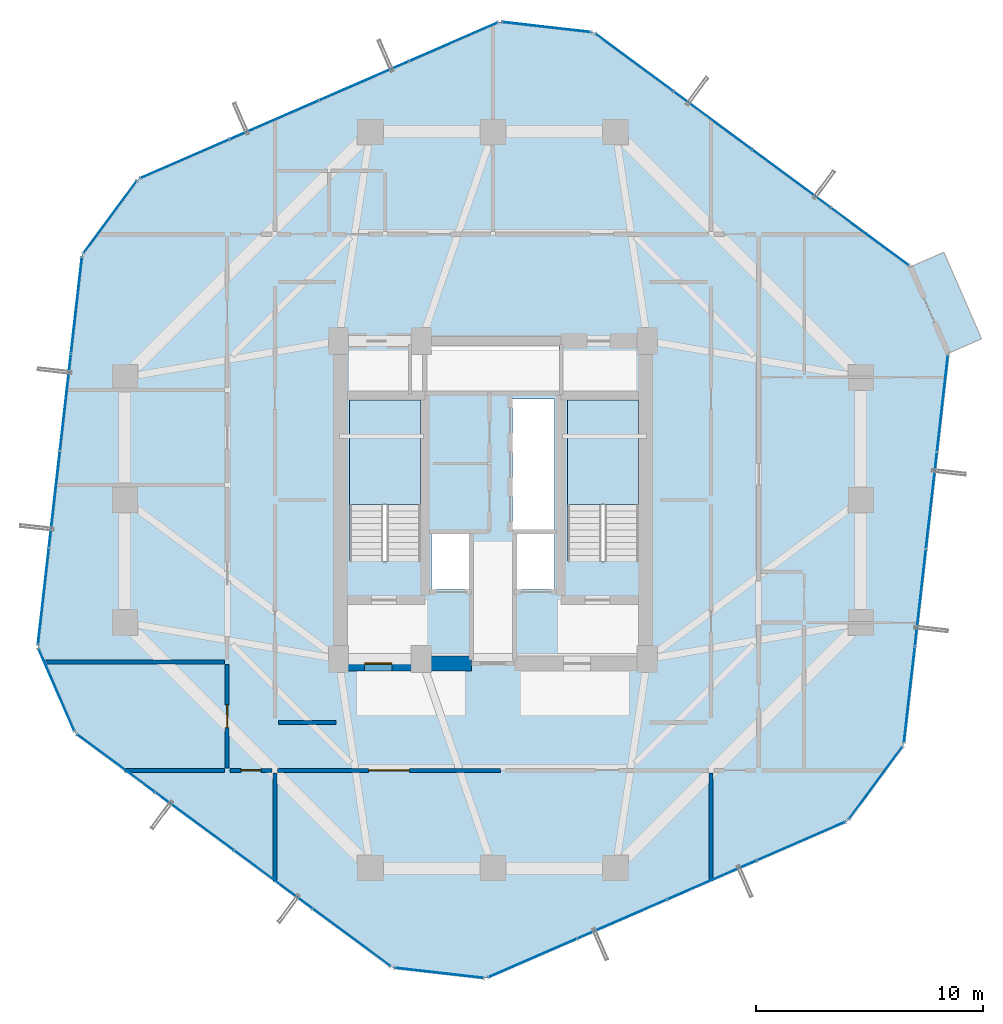
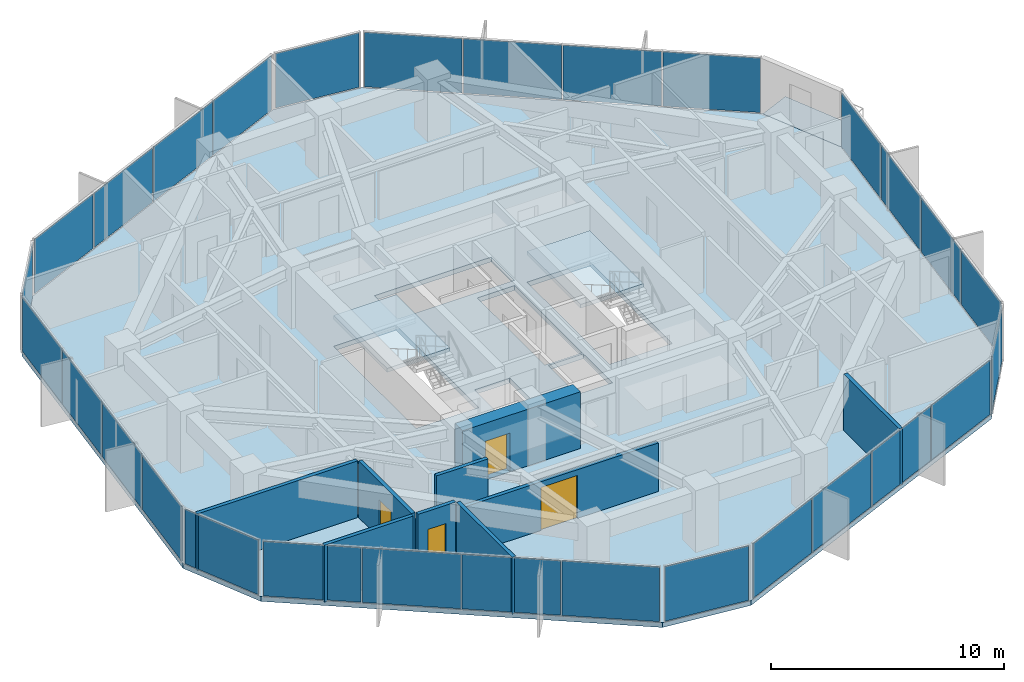
# One storey, part 24 of 29: 29 plates, 9 walls, 4 doors, 4 slabs, 4 openings, 13 elements without a shape of their own.
"""IFC4 building model written with IfcOpenShell, lengths in metres."""

import ifcopenshell
import ifcopenshell.guid

model = None  # the IFC model being written
_history = None  # IfcOwnerHistory: only IFC2X3 demands one
_inside = {}  # id of a spatial element -> (the spatial element, [elements in it])
_under = {}  # id of a project, library or spatial element -> (it, [spatial elements below it])
_declared = {}  # id of a project -> (the project, [libraries it declares])
_typed = {}  # id of a type object -> (the type object, [elements of that type])
_made_of = {}  # id of a material, layer set ... -> (it, [elements and type objects made of it])


def new_model(schema):
    """Start an empty IFC model of exactly this schema.

    Asked for "IFC4X3", IfcOpenShell would pick the latest addendum, in which some entities
    have other attributes; the version numbers below select the first issue.
    IFC2X3 requires an IfcOwnerHistory on every rooted entity: one is made here for all.
    """
    global model, _history
    if schema == "IFC4X3":
        model = ifcopenshell.file(schema_version=(4, 3, 0, 0))
    else:
        model = ifcopenshell.file(schema=schema)
    _inside.clear()
    _under.clear()
    _declared.clear()
    _typed.clear()
    _made_of.clear()
    _history = None
    if model.schema == "IFC2X3":
        org = make("IfcOrganization", Name="unknown")
        user = make(
            "IfcPersonAndOrganization",
            ThePerson=make("IfcPerson", FamilyName="unknown"),
            TheOrganization=org,
        )
        app = make(
            "IfcApplication",
            ApplicationDeveloper=org,
            Version="unknown",
            ApplicationFullName="unknown",
            ApplicationIdentifier="unknown",
        )
        _history = make(
            "IfcOwnerHistory",
            OwningUser=user,
            OwningApplication=app,
            ChangeAction="ADDED",
            CreationDate=0,
        )
    return model


def make(cls, **values):
    """One entity of the class cls with the attributes given. An attribute that is None is left unset."""
    return model.create_entity(
        cls, **{name: value for name, value in values.items() if value is not None}
    )


def rooted(cls, **values):
    """An entity with a GlobalId (a new one), such as an element, a storey or a relation."""
    return make(cls, GlobalId=ifcopenshell.guid.new(), OwnerHistory=_history, **values)


def si_unit(unit_type, name, prefix=None):
    """IfcSIUnit, for example si_unit("LENGTHUNIT", "METRE", prefix="MILLI")."""
    return make("IfcSIUnit", UnitType=unit_type, Prefix=prefix, Name=name)


def assignment(units):
    """IfcUnitAssignment: the units of a project."""
    return None if units is None else make("IfcUnitAssignment", Units=units)


def point(xyz):
    """IfcCartesianPoint."""
    return None if xyz is None else make("IfcCartesianPoint", Coordinates=xyz)


def direction(xyz):
    """IfcDirection."""
    return None if xyz is None else make("IfcDirection", DirectionRatios=xyz)


def frame(location, z_axis=None, x_axis=None):
    """IfcAxis2Placement3D, a coordinate frame: its origin and axes. An axis left out is left unset."""
    return make(
        "IfcAxis2Placement3D",
        Location=point(location),
        Axis=direction(z_axis),
        RefDirection=direction(x_axis),
    )


def frame_2d(location, x_axis=None):
    """IfcAxis2Placement2D, a coordinate frame in the plane: its origin and x axis."""
    return make(
        "IfcAxis2Placement2D", Location=point(location), RefDirection=direction(x_axis)
    )


def origin():
    """The frame at (0, 0, 0) with its axes left unset."""
    return frame((0.0, 0.0, 0.0))


def origin_2d():
    """The frame at (0, 0) in the plane with its x axis left unset."""
    return frame_2d((0.0, 0.0))


def place(relative_to, where):
    """IfcLocalPlacement: puts the frame where relative to a parent placement (None: the world)."""
    return make(
        "IfcLocalPlacement", PlacementRelTo=relative_to, RelativePlacement=where
    )


def context(
    kind, dimensions, precision=None, world=None, true_north=None, identifier=None
):
    """IfcGeometricRepresentationContext, for example the 3D "Model" context."""
    return make(
        "IfcGeometricRepresentationContext",
        ContextIdentifier=identifier,
        ContextType=kind,
        CoordinateSpaceDimension=dimensions,
        Precision=precision,
        WorldCoordinateSystem=world,
        TrueNorth=true_north,
    )


def subcontext(parent, identifier, kind, view, scale=None):
    """IfcGeometricRepresentationSubContext, for example "Body" below "Model"."""
    return make(
        "IfcGeometricRepresentationSubContext",
        ContextIdentifier=identifier,
        ContextType=kind,
        ParentContext=parent,
        TargetScale=scale,
        TargetView=view,
    )


def project(units=None, contexts=None):
    """IfcProject with its units and contexts."""
    return rooted(
        "IfcProject",
        Name="project",
        RepresentationContexts=contexts,
        UnitsInContext=assignment(units),
    )


def spatial(cls, under=None, at=None, **own):
    """A site, building, storey or space (cls), placed at a placement, below another one or the project."""
    s = rooted(cls, ObjectPlacement=at, **own)
    if under is not None:
        _under.setdefault(under.id(), (under, []))[1].append(s)
    return s


def polyline(points):
    """IfcPolyline through the points."""
    return make("IfcPolyline", Points=[point(p) for p in points])


def profile(cls, at=None, kind="AREA", **sizes):
    """A parametric profile (cls). Its sizes go by their IFC names, for example OverallWidth=200.0."""
    return make(cls, ProfileType=kind, Position=at, **sizes)


def rectangle(**sizes):
    """IfcRectangleProfileDef."""
    return profile("IfcRectangleProfileDef", **sizes)


def outline(outer, holes=None, kind="AREA"):
    """IfcArbitraryClosedProfileDef: a profile drawn as a closed curve; with holes, ...WithVoids."""
    if holes is None:
        return make("IfcArbitraryClosedProfileDef", ProfileType=kind, OuterCurve=outer)
    return make(
        "IfcArbitraryProfileDefWithVoids",
        ProfileType=kind,
        OuterCurve=outer,
        InnerCurves=holes,
    )


def extrude(swept, where, along, depth):
    """IfcExtrudedAreaSolid: the profile swept, set in the frame where, extruded along a direction by depth."""
    return make(
        "IfcExtrudedAreaSolid",
        SweptArea=swept,
        Position=where,
        ExtrudedDirection=direction(along),
        Depth=depth,
    )


def shape(context_of_items, identifier, shape_type, items):
    """IfcShapeRepresentation: the items that make up one representation, for example the "Body"."""
    return make(
        "IfcShapeRepresentation",
        ContextOfItems=context_of_items,
        RepresentationIdentifier=identifier,
        RepresentationType=shape_type,
        Items=items,
    )


def source(mapping_origin, context_of_items, identifier, shape_type, items):
    """IfcRepresentationMap: a shape defined once, which mapped items show again and again."""
    return make(
        "IfcRepresentationMap",
        MappingOrigin=mapping_origin,
        MappedRepresentation=shape(context_of_items, identifier, shape_type, items),
    )


def transform(
    local_origin,
    x_axis=None,
    y_axis=None,
    z_axis=None,
    scale=None,
    scale2=None,
    scale3=None,
    uniform=True,
):
    """IfcCartesianTransformationOperator3D, or its non-uniform kind. x_axis, y_axis, z_axis: its Axis1, 2, 3."""
    if uniform:
        return make(
            "IfcCartesianTransformationOperator3D",
            Axis1=direction(x_axis),
            Axis2=direction(y_axis),
            LocalOrigin=point(local_origin),
            Scale=scale,
            Axis3=direction(z_axis),
        )
    return make(
        "IfcCartesianTransformationOperator3DnonUniform",
        Axis1=direction(x_axis),
        Axis2=direction(y_axis),
        LocalOrigin=point(local_origin),
        Scale=scale,
        Axis3=direction(z_axis),
        Scale2=scale2,
        Scale3=scale3,
    )


def mapped(mapping_source, mapping_target):
    """IfcMappedItem: shows the shape of a source again, moved by a transform."""
    return make(
        "IfcMappedItem", MappingSource=mapping_source, MappingTarget=mapping_target
    )


def material(Name=None, Category=None):
    """IfcMaterial."""
    return make("IfcMaterial", Name=Name, Category=Category)


def layer(
    of_material, thickness, ventilated=None, Name=None, Category=None, Priority=None
):
    """IfcMaterialLayer: one layer of a wall or slab, of a material (None: an air gap)."""
    return make(
        "IfcMaterialLayer",
        Material=of_material,
        LayerThickness=thickness,
        IsVentilated=ventilated,
        Name=Name,
        Category=Category,
        Priority=Priority,
    )


def layer_set(layers, Name=None):
    """IfcMaterialLayerSet."""
    return make("IfcMaterialLayerSet", MaterialLayers=layers, LayerSetName=Name)


def made_of(thing, what):
    """Note that an element or type object is made of a material, layer set ...; save() writes the relation."""
    if what is not None:
        _made_of.setdefault(what.id(), (what, []))[1].append(thing)
    return thing


def type_object(cls, material=None, **own):
    """A type object (cls), such as IfcWallType, which elements share."""
    return made_of(rooted(cls, **own), material)


def element(
    cls,
    number,
    at=None,
    inside=None,
    cuts=None,
    type_object=None,
    material=None,
    context=None,
    identifier="Body",
    shape_type=None,
    held_by="IfcProductDefinitionShape",
    body=None,
    shapes=None,
    **own,
):
    """One element of the class cls, such as IfcWall. Its Tag is "e" and its number.

    at: its placement. inside: the storey or other place that contains it. cuts: it is an
    opening in that element (IfcRelVoidsElement). A single representation is given by context,
    identifier, shape_type and body (its items); several are given by shapes. held_by: the class
    of the entity that holds the representations. save() writes the other relations.
    """
    e = rooted(cls, Tag="e%d" % number, ObjectPlacement=at, **own)
    if body is not None:
        shapes = [shape(context, identifier, shape_type, body)]
    if shapes is not None:
        e.Representation = make(held_by, Representations=shapes)
    if inside is not None:
        _inside.setdefault(inside.id(), (inside, []))[1].append(e)
    if cuts is not None:
        rooted(
            "IfcRelVoidsElement", RelatingBuildingElement=cuts, RelatedOpeningElement=e
        )
    if type_object is not None:
        _typed.setdefault(type_object.id(), (type_object, []))[1].append(e)
    return made_of(e, material)


def fill(opening, filler):
    """IfcRelFillsElement: the door or window that sits in an opening."""
    return rooted(
        "IfcRelFillsElement",
        RelatingOpeningElement=opening,
        RelatedBuildingElement=filler,
    )


def aggregate(whole, parts):
    """IfcRelAggregates: a whole, such as a stair, and the parts it consists of."""
    return rooted("IfcRelAggregates", RelatingObject=whole, RelatedObjects=parts)


def save(model, path):
    """Write the relations noted so far, then the file.

    IfcRelAggregates (storeys below a building ...), IfcRelContainedInSpatialStructure (elements
    in a storey), IfcRelDefinesByType, IfcRelAssociatesMaterial and IfcRelDeclares: one each for
    every whole, place, type object, material and project.
    """
    for whole, parts in _under.values():
        aggregate(whole, parts)
    for where, things in _inside.values():
        rooted(
            "IfcRelContainedInSpatialStructure",
            RelatedElements=things,
            RelatingStructure=where,
        )
    for kind, things in _typed.values():
        rooted("IfcRelDefinesByType", RelatedObjects=things, RelatingType=kind)
    for what, things in _made_of.values():
        rooted("IfcRelAssociatesMaterial", RelatedObjects=things, RelatingMaterial=what)
    for by, libraries in _declared.values():
        rooted("IfcRelDeclares", RelatingContext=by, RelatedDefinitions=libraries)
    model.write(path)


model = new_model("IFC4")

# Units and contexts
model_context = context("Model", 3, precision=1e-05, world=origin(), true_north=direction((0.0, 1.0)))
body_context = subcontext(model_context, "Body", "Model", "MODEL_VIEW")
ifc_project = project(units=[si_unit("LENGTHUNIT", "METRE"), si_unit("AREAUNIT", "SQUARE_METRE"), si_unit("VOLUMEUNIT", "CUBIC_METRE"), si_unit("PLANEANGLEUNIT", "RADIAN"), si_unit("MASSUNIT", "GRAM", prefix="KILO")], contexts=[model_context])

# Site, building, storey
site_placement = place(None, origin())
site = spatial("IfcSite", under=ifc_project, at=site_placement, CompositionType="ELEMENT")
building_placement = place(site_placement, origin())
building = spatial("IfcBuilding", under=site, at=building_placement, Name="Veraguas Prism Commons", CompositionType="ELEMENT")
storey_placement = place(building_placement, frame((0.0, 0.0, 105.699951171875)))
storey = spatial("IfcBuildingStorey", under=building, at=storey_placement, Name="L29", CompositionType="ELEMENT", Elevation=105.699951171875)

# Stair, slab
ifc_material_1 = material(Name="Precast concrete C45/55", Category="concrete")
stair_type = type_object("IfcStairType", Name="Dogleg Core Stair 1480W 20R 05", PredefinedType="HALF_TURN_STAIR", material=ifc_material_1)
stair_1_placement = place(storey_placement, origin())
stair_1 = element("IfcStair", 1, at=stair_1_placement, inside=storey, type_object=stair_type, Name="Protected Exit Stair ST-01 L29", PredefinedType="HALF_TURN_STAIR")
ifc_layer_1 = layer(ifc_material_1, 0.199951171875, Name="Precast Stair and Ramp Landing Slab 200", Category="concrete")
ifc_layer_set_1 = layer_set([ifc_layer_1], Name="Precast concrete C45/55")
slab_type_1 = type_object("IfcSlabType", Name="Precast Stair and Ramp Landing Slab 200", PredefinedType="LANDING", material=ifc_layer_set_1)
slab_1_placement = place(storey_placement, frame((0.0, 0.0, 1.425048828125)))
slab_1 = element("IfcSlab", 2, at=slab_1_placement, type_object=slab_type_1, Name="ST-05 Landing 1", PredefinedType="LANDING", context=body_context, shape_type="SweptSolid", body=[
    extrude(outline(polyline([(20.800048828125, 23.800048828125), (20.800048828125, 28.39990234375), (17.68994140625, 28.39990234375), (17.68994140625, 23.800048828125), (20.800048828125, 23.800048828125)])), origin(), (0.0, 0.0, 1.0), 0.199951171875),
])
aggregate(stair_1, [slab_1])

stair_2_placement = place(storey_placement, origin())
stair_2 = element("IfcStair", 3, at=stair_2_placement, inside=storey, type_object=stair_type, Name="Protected Exit Stair ST-02 L29", PredefinedType="HALF_TURN_STAIR")
slab_2_placement = place(storey_placement, frame((0.0, 0.0, 1.425048828125)))
slab_2 = element("IfcSlab", 4, at=slab_2_placement, type_object=slab_type_1, Name="ST-05 Landing 1", PredefinedType="LANDING", context=body_context, shape_type="SweptSolid", body=[
    extrude(outline(polyline([(30.39990234375, 23.800048828125), (30.39990234375, 28.39990234375), (27.2900390625, 28.39990234375), (27.2900390625, 23.800048828125), (30.39990234375, 23.800048828125)])), origin(), (0.0, 0.0, 1.0), 0.199951171875),
])
aggregate(stair_2, [slab_2])

# Slabs
ifc_material_2 = material(Name="Concrete C45/55", Category="concrete")
ifc_layer_2 = layer(ifc_material_2, 0.219970703125, Name="Recessed Loggia and Terrace Slab RC 220", Category="concrete")
ifc_layer_set_2 = layer_set([ifc_layer_2], Name="Concrete C45/55")
slab_type_2 = type_object("IfcSlabType", Name="Recessed Loggia and Terrace Slab RC 220", PredefinedType="FLOOR", material=ifc_layer_set_2)
slab_3_placement = place(storey_placement, frame((0.0, 0.0, -0.219970703125)))
element("IfcSlab", 5, at=slab_3_placement, inside=storey, type_object=slab_type_2, Name="Recessed Corner Loggia L29-C1", PredefinedType="FLOOR", context=body_context, shape_type="SweptSolid", body=[
    extrude(outline(polyline([(44.02099609375, 30.448974609375), (45.50634765625, 31.095458984375), (43.848876953125, 34.903564453125), (42.363525390625, 34.257080078125), (44.02099609375, 30.448974609375)])), origin(), (0.0, 0.0, 1.0), 0.219970703125),
])
ifc_layer_3 = layer(ifc_material_2, 0.25, Name="Tower Lower Residential Floor Slab RC 250", Category="concrete")
ifc_layer_set_3 = layer_set([ifc_layer_3], Name="Concrete C45/55")
slab_type_3 = type_object("IfcSlabType", Name="Tower Lower Residential Floor Slab RC 250", PredefinedType="FLOOR", material=ifc_layer_set_3)
slab_4_placement = place(storey_placement, frame((0.0, 0.0, -0.25)))
element("IfcSlab", 6, at=slab_4_placement, inside=storey, type_object=slab_type_3, Name="Tower Floor Slab L29", PredefinedType="FLOOR", context=body_context, shape_type="SweptSolid", body=[
    extrude(outline(polyline([(44.039306640625, 30.456787109375), (42.3818359375, 34.264892578125), (28.427734375, 44.5830078125), (24.30126953125, 45.051513671875), (8.388671875, 38.1259765625), (5.91943359375, 34.78662109375), (3.960693359375, 17.543212890625), (5.6181640625, 13.735107421875), (19.572265625, 3.4169921875), (23.69873046875, 2.948486328125), (39.611328125, 9.8740234375), (42.08056640625, 13.21337890625), (44.039306640625, 30.456787109375)]), holes=[polyline([(20.800048828125, 21.31005859375), (20.800048828125, 28.39990234375), (17.68994140625, 28.39990234375), (17.68994140625, 21.31005859375), (20.800048828125, 21.31005859375)]), polyline([(30.39990234375, 21.31005859375), (30.39990234375, 28.39990234375), (27.2900390625, 28.39990234375), (27.2900390625, 21.31005859375), (30.39990234375, 21.31005859375)]), polyline([(24.85009765625, 22.64990234375), (26.699951171875, 22.64990234375), (26.699951171875, 28.449951171875), (24.85009765625, 28.449951171875), (24.85009765625, 22.64990234375)]), polyline([(21.10009765625, 28.800048828125), (26.89990234375, 28.800048828125), (26.89990234375, 30.800048828125), (21.10009765625, 30.800048828125), (21.10009765625, 28.800048828125)]), polyline([(21.300048828125, 20.050048828125), (23.050048828125, 20.050048828125), (23.050048828125, 22.550048828125), (21.300048828125, 22.550048828125), (21.300048828125, 20.050048828125)]), polyline([(24.949951171875, 20.050048828125), (26.699951171875, 20.050048828125), (26.699951171875, 22.550048828125), (24.949951171875, 22.550048828125), (24.949951171875, 20.050048828125)])]), origin(), (0.0, 0.0, 1.0), 0.25),
])

# Curtain wall, plates
ifc_material_3 = material(Name="Anodised aluminium EN AW-6063 T6", Category="aluminium")
ifc_layer_4 = layer(ifc_material_3, 0.169921875, Name="Unitised Flush Curtain Wall Zone 2", Category="aluminium")
ifc_layer_set_4 = layer_set([ifc_layer_4], Name="Anodised aluminium EN AW-6063 T6")
curtain_wall_type = type_object("IfcCurtainWallType", Name="Unitised Flush Curtain Wall Zone 2", PredefinedType="NOTDEFINED", material=ifc_layer_set_4)
curtain_wall_1_placement = place(storey_placement, origin())
curtain_wall_1 = element("IfcCurtainWall", 7, at=curtain_wall_1_placement, inside=storey, type_object=curtain_wall_type, Name="Tower Facade Curtain Wall L29-F1", PredefinedType="NOTDEFINED")
ifc_material_4 = material(Name="Laminated low-e glass", Category="glass")
ifc_layer_5 = layer(ifc_material_4, 0.028076171875, Name="Unitised Double Low-E Glazed Panel 28", Category="glass")
ifc_layer_set_5 = layer_set([ifc_layer_5], Name="Laminated low-e glass")
plate_type = type_object("IfcPlateType", Name="Unitised Double Low-E Glazed Panel 28", PredefinedType="CURTAIN_PANEL", material=ifc_layer_set_5)
shared_shape_1 = source(origin(), body_context, "Body", "SweptSolid", [
    extrude(rectangle(XDim=4.218505859375, YDim=0.028076171875, at=origin_2d()), origin(), (0.0, 0.0, 1.0), 2.860107421875),
])
plate_1_placement = place(storey_placement, frame((40.58935546875, 35.59033203125, 0.05517578125), z_axis=(0.0, 0.0, 1.0), x_axis=(-0.804067556966, 0.59453794146, 0.0)))
plate_1 = element("IfcPlate", 8, at=plate_1_placement, type_object=plate_type, Name="CW-Z2 Panel 1.1", PredefinedType="CURTAIN_PANEL", context=body_context, shape_type="MappedRepresentation", body=[
    mapped(shared_shape_1, transform((0.0, 0.0, 0.0), scale=1.0)),
])
plate_2_placement = place(storey_placement, frame((30.22021484375, 43.257568359375, 0.05517578125), z_axis=(0.0, 0.0, 1.0), x_axis=(-0.804067556966, 0.59453794146, 0.0)))
plate_2 = element("IfcPlate", 9, at=plate_2_placement, type_object=plate_type, Name="CW-Z2 Panel 4.1", PredefinedType="CURTAIN_PANEL", context=body_context, shape_type="MappedRepresentation", body=[
    mapped(shared_shape_1, transform((0.0, 0.0, 0.0), scale=1.0)),
])

curtain_wall_2_placement = place(storey_placement, origin())
curtain_wall_2 = element("IfcCurtainWall", 10, at=curtain_wall_2_placement, inside=storey, type_object=curtain_wall_type, Name="Tower Facade Curtain Wall L29-F2", PredefinedType="NOTDEFINED")
plate_3_placement = place(storey_placement, frame((22.257080078125, 44.162109375, 0.05517578125), z_axis=(0.0, 0.0, 1.0), x_axis=(-0.916919435815, -0.399072359635, 0.0)))
plate_3 = element("IfcPlate", 11, at=plate_3_placement, type_object=plate_type, Name="CW-Z2 Panel 1.1", PredefinedType="CURTAIN_PANEL", context=body_context, shape_type="MappedRepresentation", body=[
    mapped(shared_shape_1, transform((0.0, 0.0, 0.0), scale=1.0)),
])
plate_4_placement = place(storey_placement, frame((10.4326171875, 39.015625, 0.05517578125), z_axis=(0.0, 0.0, 1.0), x_axis=(-0.916919435815, -0.399072359635, 0.0)))
plate_4 = element("IfcPlate", 12, at=plate_4_placement, type_object=plate_type, Name="CW-Z2 Panel 4.1", PredefinedType="CURTAIN_PANEL", context=body_context, shape_type="MappedRepresentation", body=[
    mapped(shared_shape_1, transform((0.0, 0.0, 0.0), scale=1.0)),
])

curtain_wall_3_placement = place(storey_placement, origin())
curtain_wall_3 = element("IfcCurtainWall", 13, at=curtain_wall_3_placement, inside=storey, type_object=curtain_wall_type, Name="Tower Facade Curtain Wall L29-F3", PredefinedType="NOTDEFINED")
plate_5_placement = place(storey_placement, frame((5.667724609375, 32.571533203125, 0.05517578125), z_axis=(0.0, 0.0, 1.0), x_axis=(-0.112856384873, -0.99361131052, 0.0)))
plate_5 = element("IfcPlate", 14, at=plate_5_placement, type_object=plate_type, Name="CW-Z2 Panel 1.1", PredefinedType="CURTAIN_PANEL", context=body_context, shape_type="MappedRepresentation", body=[
    mapped(shared_shape_1, transform((0.0, 0.0, 0.0), scale=1.0)),
])
plate_6_placement = place(storey_placement, frame((4.21240234375, 19.758056640625, 0.05517578125), z_axis=(0.0, 0.0, 1.0), x_axis=(-0.112856384873, -0.99361131052, 0.0)))
plate_6 = element("IfcPlate", 15, at=plate_6_placement, type_object=plate_type, Name="CW-Z2 Panel 4.1", PredefinedType="CURTAIN_PANEL", context=body_context, shape_type="MappedRepresentation", body=[
    mapped(shared_shape_1, transform((0.0, 0.0, 0.0), scale=1.0)),
])

curtain_wall_4_placement = place(storey_placement, origin())
curtain_wall_4 = element("IfcCurtainWall", 16, at=curtain_wall_4_placement, inside=storey, type_object=curtain_wall_type, Name="Tower Facade Curtain Wall L29-F4", PredefinedType="NOTDEFINED")
plate_7_placement = place(storey_placement, frame((7.41064453125, 12.40966796875, 0.05517578125), z_axis=(0.0, 0.0, 1.0), x_axis=(0.804067556966, -0.59453794146, 0.0)))
plate_7 = element("IfcPlate", 17, at=plate_7_placement, type_object=plate_type, Name="CW-Z2 Panel 1.1", PredefinedType="CURTAIN_PANEL", context=body_context, shape_type="MappedRepresentation", body=[
    mapped(shared_shape_1, transform((0.0, 0.0, 0.0), scale=1.0)),
])
plate_8_placement = place(storey_placement, frame((17.77978515625, 4.742431640625, 0.05517578125), z_axis=(0.0, 0.0, 1.0), x_axis=(0.804067556966, -0.59453794146, 0.0)))
plate_8 = element("IfcPlate", 18, at=plate_8_placement, type_object=plate_type, Name="CW-Z2 Panel 4.1", PredefinedType="CURTAIN_PANEL", context=body_context, shape_type="MappedRepresentation", body=[
    mapped(shared_shape_1, transform((0.0, 0.0, 0.0), scale=1.0)),
])

curtain_wall_5_placement = place(storey_placement, origin())
curtain_wall_5 = element("IfcCurtainWall", 19, at=curtain_wall_5_placement, inside=storey, type_object=curtain_wall_type, Name="Tower Facade Curtain Wall L29-F5", PredefinedType="NOTDEFINED")
plate_9_placement = place(storey_placement, frame((25.742919921875, 3.837890625, 0.05517578125), z_axis=(0.0, 0.0, 1.0), x_axis=(0.916919435815, 0.399072359635, 0.0)))
plate_9 = element("IfcPlate", 20, at=plate_9_placement, type_object=plate_type, Name="CW-Z2 Panel 1.1", PredefinedType="CURTAIN_PANEL", context=body_context, shape_type="MappedRepresentation", body=[
    mapped(shared_shape_1, transform((0.0, 0.0, 0.0), scale=1.0)),
])
plate_10_placement = place(storey_placement, frame((37.5673828125, 8.984375, 0.05517578125), z_axis=(0.0, 0.0, 1.0), x_axis=(0.916919435815, 0.399072359635, 0.0)))
plate_10 = element("IfcPlate", 21, at=plate_10_placement, type_object=plate_type, Name="CW-Z2 Panel 4.1", PredefinedType="CURTAIN_PANEL", context=body_context, shape_type="MappedRepresentation", body=[
    mapped(shared_shape_1, transform((0.0, 0.0, 0.0), scale=1.0)),
])

curtain_wall_6_placement = place(storey_placement, origin())
curtain_wall_6 = element("IfcCurtainWall", 22, at=curtain_wall_6_placement, inside=storey, type_object=curtain_wall_type, Name="Tower Facade Curtain Wall L29-F6", PredefinedType="NOTDEFINED")
plate_11_placement = place(storey_placement, frame((42.332275390625, 15.428466796875, 0.05517578125), z_axis=(0.0, 0.0, 1.0), x_axis=(0.112856384873, 0.99361131052, 0.0)))
plate_11 = element("IfcPlate", 23, at=plate_11_placement, type_object=plate_type, Name="CW-Z2 Panel 1.1", PredefinedType="CURTAIN_PANEL", context=body_context, shape_type="MappedRepresentation", body=[
    mapped(shared_shape_1, transform((0.0, 0.0, 0.0), scale=1.0)),
])
plate_12_placement = place(storey_placement, frame((43.78759765625, 28.241943359375, 0.05517578125), z_axis=(0.0, 0.0, 1.0), x_axis=(0.112856384873, 0.99361131052, 0.0)))
plate_12 = element("IfcPlate", 24, at=plate_12_placement, type_object=plate_type, Name="CW-Z2 Panel 4.1", PredefinedType="CURTAIN_PANEL", context=body_context, shape_type="MappedRepresentation", body=[
    mapped(shared_shape_1, transform((0.0, 0.0, 0.0), scale=1.0)),
])

# Plate
shared_shape_2 = source(origin(), body_context, "Body", "SweptSolid", [
    extrude(rectangle(XDim=4.24853515625, YDim=0.028076171875, at=origin_2d()), origin(), (0.0, 0.0, 1.0), 2.860107421875),
])
plate_13_placement = place(storey_placement, frame((37.136962890625, 38.14306640625, 0.05517578125), z_axis=(0.0, 0.0, 1.0), x_axis=(-0.804067556966, 0.59453794146, 0.0)))
plate_13 = element("IfcPlate", 25, at=plate_13_placement, type_object=plate_type, Name="CW-Z2 Panel 2.1", PredefinedType="CURTAIN_PANEL", context=body_context, shape_type="MappedRepresentation", body=[
    mapped(shared_shape_2, transform((0.0, 0.0, 0.0), scale=1.0)),
])

plate_14_placement = place(storey_placement, frame((33.672607421875, 40.704833984375, 0.05517578125), z_axis=(0.0, 0.0, 1.0), x_axis=(-0.804067556966, 0.59453794146, 0.0)))
plate_14 = element("IfcPlate", 26, at=plate_14_placement, type_object=plate_type, Name="CW-Z2 Panel 3.1", PredefinedType="CURTAIN_PANEL", context=body_context, shape_type="MappedRepresentation", body=[
    mapped(shared_shape_2, transform((0.0, 0.0, 0.0), scale=1.0)),
])

aggregate(curtain_wall_1, [plate_1, plate_13, plate_14, plate_2])

plate_15_placement = place(storey_placement, frame((18.3203125, 42.448486328125, 0.05517578125), z_axis=(0.0, 0.0, 1.0), x_axis=(-0.916919435815, -0.399072359635, 0.0)))
plate_15 = element("IfcPlate", 27, at=plate_15_placement, type_object=plate_type, Name="CW-Z2 Panel 2.1", PredefinedType="CURTAIN_PANEL", context=body_context, shape_type="MappedRepresentation", body=[
    mapped(shared_shape_2, transform((0.0, 0.0, 0.0), scale=1.0)),
])

plate_16_placement = place(storey_placement, frame((14.36962890625, 40.72900390625, 0.05517578125), z_axis=(0.0, 0.0, 1.0), x_axis=(-0.916919435815, -0.399072359635, 0.0)))
plate_16 = element("IfcPlate", 28, at=plate_16_placement, type_object=plate_type, Name="CW-Z2 Panel 3.1", PredefinedType="CURTAIN_PANEL", context=body_context, shape_type="MappedRepresentation", body=[
    mapped(shared_shape_2, transform((0.0, 0.0, 0.0), scale=1.0)),
])

aggregate(curtain_wall_2, [plate_3, plate_15, plate_16, plate_4])

plate_17_placement = place(storey_placement, frame((5.18310546875, 28.305419921875, 0.05517578125), z_axis=(0.0, 0.0, 1.0), x_axis=(-0.112856384873, -0.99361131052, 0.0)))
plate_17 = element("IfcPlate", 29, at=plate_17_placement, type_object=plate_type, Name="CW-Z2 Panel 2.1", PredefinedType="CURTAIN_PANEL", context=body_context, shape_type="MappedRepresentation", body=[
    mapped(shared_shape_2, transform((0.0, 0.0, 0.0), scale=1.0)),
])

plate_18_placement = place(storey_placement, frame((4.697021484375, 24.0244140625, 0.05517578125), z_axis=(0.0, 0.0, 1.0), x_axis=(-0.112856384873, -0.99361131052, 0.0)))
plate_18 = element("IfcPlate", 30, at=plate_18_placement, type_object=plate_type, Name="CW-Z2 Panel 3.1", PredefinedType="CURTAIN_PANEL", context=body_context, shape_type="MappedRepresentation", body=[
    mapped(shared_shape_2, transform((0.0, 0.0, 0.0), scale=1.0)),
])

aggregate(curtain_wall_3, [plate_5, plate_17, plate_18, plate_6])

plate_19_placement = place(storey_placement, frame((10.863037109375, 9.85693359375, 0.05517578125), z_axis=(0.0, 0.0, 1.0), x_axis=(0.804067556966, -0.59453794146, 0.0)))
plate_19 = element("IfcPlate", 31, at=plate_19_placement, type_object=plate_type, Name="CW-Z2 Panel 2.1", PredefinedType="CURTAIN_PANEL", context=body_context, shape_type="MappedRepresentation", body=[
    mapped(shared_shape_2, transform((0.0, 0.0, 0.0), scale=1.0)),
])

plate_20_placement = place(storey_placement, frame((14.327392578125, 7.295166015625, 0.05517578125), z_axis=(0.0, 0.0, 1.0), x_axis=(0.804067556966, -0.59453794146, 0.0)))
plate_20 = element("IfcPlate", 32, at=plate_20_placement, type_object=plate_type, Name="CW-Z2 Panel 3.1", PredefinedType="CURTAIN_PANEL", context=body_context, shape_type="MappedRepresentation", body=[
    mapped(shared_shape_2, transform((0.0, 0.0, 0.0), scale=1.0)),
])

aggregate(curtain_wall_4, [plate_7, plate_19, plate_20, plate_8])

plate_21_placement = place(storey_placement, frame((29.6796875, 5.551513671875, 0.05517578125), z_axis=(0.0, 0.0, 1.0), x_axis=(0.916919435815, 0.399072359635, 0.0)))
plate_21 = element("IfcPlate", 33, at=plate_21_placement, type_object=plate_type, Name="CW-Z2 Panel 2.1", PredefinedType="CURTAIN_PANEL", context=body_context, shape_type="MappedRepresentation", body=[
    mapped(shared_shape_2, transform((0.0, 0.0, 0.0), scale=1.0)),
])

plate_22_placement = place(storey_placement, frame((33.63037109375, 7.27099609375, 0.05517578125), z_axis=(0.0, 0.0, 1.0), x_axis=(0.916919435815, 0.399072359635, 0.0)))
plate_22 = element("IfcPlate", 34, at=plate_22_placement, type_object=plate_type, Name="CW-Z2 Panel 3.1", PredefinedType="CURTAIN_PANEL", context=body_context, shape_type="MappedRepresentation", body=[
    mapped(shared_shape_2, transform((0.0, 0.0, 0.0), scale=1.0)),
])

aggregate(curtain_wall_5, [plate_9, plate_21, plate_22, plate_10])

plate_23_placement = place(storey_placement, frame((42.81689453125, 19.694580078125, 0.05517578125), z_axis=(0.0, 0.0, 1.0), x_axis=(0.112856384873, 0.99361131052, 0.0)))
plate_23 = element("IfcPlate", 35, at=plate_23_placement, type_object=plate_type, Name="CW-Z2 Panel 2.1", PredefinedType="CURTAIN_PANEL", context=body_context, shape_type="MappedRepresentation", body=[
    mapped(shared_shape_2, transform((0.0, 0.0, 0.0), scale=1.0)),
])

plate_24_placement = place(storey_placement, frame((43.302978515625, 23.9755859375, 0.05517578125), z_axis=(0.0, 0.0, 1.0), x_axis=(0.112856384873, 0.99361131052, 0.0)))
plate_24 = element("IfcPlate", 36, at=plate_24_placement, type_object=plate_type, Name="CW-Z2 Panel 3.1", PredefinedType="CURTAIN_PANEL", context=body_context, shape_type="MappedRepresentation", body=[
    mapped(shared_shape_2, transform((0.0, 0.0, 0.0), scale=1.0)),
])

aggregate(curtain_wall_6, [plate_11, plate_23, plate_24, plate_12])

# Curtain wall, plate
curtain_wall_7_placement = place(storey_placement, origin())
curtain_wall_7 = element("IfcCurtainWall", 37, at=curtain_wall_7_placement, inside=storey, type_object=curtain_wall_type, Name="Chamfer Curtain Wall L29-C2", PredefinedType="NOTDEFINED")
shared_shape_3 = source(origin(), body_context, "Body", "SweptSolid", [
    extrude(rectangle(XDim=3.9130859375, YDim=0.028076171875, at=origin_2d()), origin(), (0.0, 0.0, 1.0), 2.860107421875),
])
plate_25_placement = place(storey_placement, frame((26.364501953125, 44.817138671875, 0.05517578125), z_axis=(0.0, 0.0, 1.0), x_axis=(-0.993613280084, 0.112839043067, 0.0)))
plate_25 = element("IfcPlate", 38, at=plate_25_placement, type_object=plate_type, Name="CW-Z2 Panel 1.1", PredefinedType="CURTAIN_PANEL", context=body_context, shape_type="MappedRepresentation", body=[
    mapped(shared_shape_3, transform((0.0, 0.0, 0.0), scale=1.0)),
])
aggregate(curtain_wall_7, [plate_25])

curtain_wall_8_placement = place(storey_placement, origin())
curtain_wall_8 = element("IfcCurtainWall", 39, at=curtain_wall_8_placement, inside=storey, type_object=curtain_wall_type, Name="Chamfer Curtain Wall L29-C3", PredefinedType="NOTDEFINED")
plate_26_placement = place(storey_placement, frame((7.154052734375, 36.456298828125, 0.05517578125), z_axis=(0.0, 0.0, 1.0), x_axis=(-0.594519697593, -0.804081046397, 0.0)))
plate_26 = element("IfcPlate", 40, at=plate_26_placement, type_object=plate_type, Name="CW-Z2 Panel 1.1", PredefinedType="CURTAIN_PANEL", context=body_context, shape_type="MappedRepresentation", body=[
    mapped(shared_shape_3, transform((0.0, 0.0, 0.0), scale=1.0)),
])
aggregate(curtain_wall_8, [plate_26])

curtain_wall_9_placement = place(storey_placement, origin())
curtain_wall_9 = element("IfcCurtainWall", 41, at=curtain_wall_9_placement, inside=storey, type_object=curtain_wall_type, Name="Chamfer Curtain Wall L29-C4", PredefinedType="NOTDEFINED")
plate_27_placement = place(storey_placement, frame((4.78955078125, 15.63916015625, 0.05517578125), z_axis=(0.0, 0.0, 1.0), x_axis=(0.399086762523, -0.916913167088, 0.0)))
plate_27 = element("IfcPlate", 42, at=plate_27_placement, type_object=plate_type, Name="CW-Z2 Panel 1.1", PredefinedType="CURTAIN_PANEL", context=body_context, shape_type="MappedRepresentation", body=[
    mapped(shared_shape_3, transform((0.0, 0.0, 0.0), scale=1.0)),
])
aggregate(curtain_wall_9, [plate_27])

curtain_wall_10_placement = place(storey_placement, origin())
curtain_wall_10 = element("IfcCurtainWall", 43, at=curtain_wall_10_placement, inside=storey, type_object=curtain_wall_type, Name="Chamfer Curtain Wall L29-C5", PredefinedType="NOTDEFINED")
plate_28_placement = place(storey_placement, frame((21.635498046875, 3.182861328125, 0.05517578125), z_axis=(0.0, 0.0, 1.0), x_axis=(0.993613280084, -0.112839043067, 0.0)))
plate_28 = element("IfcPlate", 44, at=plate_28_placement, type_object=plate_type, Name="CW-Z2 Panel 1.1", PredefinedType="CURTAIN_PANEL", context=body_context, shape_type="MappedRepresentation", body=[
    mapped(shared_shape_3, transform((0.0, 0.0, 0.0), scale=1.0)),
])
aggregate(curtain_wall_10, [plate_28])

curtain_wall_11_placement = place(storey_placement, origin())
curtain_wall_11 = element("IfcCurtainWall", 45, at=curtain_wall_11_placement, inside=storey, type_object=curtain_wall_type, Name="Chamfer Curtain Wall L29-C6", PredefinedType="NOTDEFINED")
plate_29_placement = place(storey_placement, frame((40.845947265625, 11.543701171875, 0.05517578125), z_axis=(0.0, 0.0, 1.0), x_axis=(0.594519697593, 0.804081046397, 0.0)))
plate_29 = element("IfcPlate", 46, at=plate_29_placement, type_object=plate_type, Name="CW-Z2 Panel 1.1", PredefinedType="CURTAIN_PANEL", context=body_context, shape_type="MappedRepresentation", body=[
    mapped(shared_shape_3, transform((0.0, 0.0, 0.0), scale=1.0)),
])
aggregate(curtain_wall_11, [plate_29])

# Wall, opening, door
ifc_material_5 = material(Name="Concrete C55/67", Category="concrete")
ifc_layer_6 = layer(ifc_material_5, 0.64990234375, Name="Core Outer Shear Wall Mid RC 650", Category="concrete")
ifc_layer_set_6 = layer_set([ifc_layer_6], Name="Concrete C55/67")
wall_type_1 = type_object("IfcWallType", Name="Core Outer Shear Wall Mid RC 650", PredefinedType="SHEAR", material=ifc_layer_set_6)
wall_1_placement = place(storey_placement, frame((17.199951171875, 16.800048828125, 0.0), z_axis=(0.0, 0.0, 1.0), x_axis=(1.0, 0.0, 0.0)))
wall_1 = element("IfcWall", 47, at=wall_1_placement, inside=storey, type_object=wall_type_1, Name="Central Core South-West Shear Wall L29", PredefinedType="SHEAR", context=body_context, shape_type="SweptSolid", body=[
    extrude(rectangle(XDim=5.85009765625, YDim=0.64990234375, at=frame_2d((2.925048828125, 0.0))), origin(), (0.0, 0.0, 1.0), 2.969970703125),
])
opening_1_placement = place(wall_1_placement, frame((1.14990234375, 0.0, 0.0)))
opening_1 = element("IfcOpeningElement", 48, at=opening_1_placement, cuts=wall_1, Name="Opening DR-06", PredefinedType="OPENING", context=body_context, shape_type="SweptSolid", body=[
    extrude(rectangle(XDim=1.199951171875, YDim=2.030029296875, at=frame_2d((0.60009765625, 1.01513671875))), frame((0.0, 0.3349609375, 0.0), z_axis=(0.0, -1.0, 0.0), x_axis=(1.0, 0.0, 0.0)), (0.0, 0.0, 1.0), 0.669921875),
])
ifc_material_6 = material(Name="Steel fire-rated door assembly", Category="steel")
door_type_1 = type_object("IfcDoorType", Name="Firefighting Lobby Smoke Door 1200x2030", OperationType="NOTDEFINED", PredefinedType="DOOR", material=ifc_material_6)
shared_shape_4 = source(origin(), body_context, "Body", "SweptSolid", [
    extrude(rectangle(XDim=1.199951171875, YDim=2.030029296875, at=frame_2d((0.60009765625, 1.01513671875))), frame((0.0, 0.02490234375, 0.0), z_axis=(0.0, -1.0, 0.0), x_axis=(1.0, 0.0, 0.0)), (0.0, 0.0, 1.0), 0.050048828125),
])
door_1_placement = place(opening_1_placement, origin())
door_1 = element("IfcDoor", 49, at=door_1_placement, inside=storey, type_object=door_type_1, Name="West FF Lobby Door L29", OperationType="SINGLE_SWING_LEFT", OverallHeight=2.030029296875, OverallWidth=1.199951171875, PredefinedType="DOOR", context=body_context, shape_type="MappedRepresentation", body=[
    mapped(shared_shape_4, transform((0.0, 0.0, 0.0), scale=1.0)),
])
fill(opening_1, door_1)

# Walls
ifc_material_7 = material(Name="Autoclaved aerated masonry block 10 MPa", Category="masonry")
ifc_layer_7 = layer(ifc_material_7, 0.179931640625, Name="Corridor and Inter-Tenancy Partition 180", Category="masonry")
ifc_layer_set_7 = layer_set([ifc_layer_7], Name="Autoclaved aerated masonry block 10 MPa")
wall_type_2 = type_object("IfcWallType", Name="Corridor and Inter-Tenancy Partition 180", PredefinedType="PARTITIONING", material=ifc_layer_set_7)
wall_2_placement = place(storey_placement, frame((14.550048828125, 14.199951171875, 0.0), z_axis=(0.0, 0.0, 1.0), x_axis=(1.0, 0.0, 0.0)))
element("IfcWall", 50, at=wall_2_placement, inside=storey, type_object=wall_type_2, Name="WL-L29-IRWS", PredefinedType="PARTITIONING", context=body_context, shape_type="SweptSolid", body=[
    extrude(rectangle(XDim=2.550048828125, YDim=0.179931640625, at=frame_2d((1.27490234375, 0.0))), origin(), (0.0, 0.0, 1.0), 2.969970703125),
])
wall_3_placement = place(storey_placement, frame((14.39990234375, 11.97998046875, 0.0), z_axis=(0.0, 0.0, 1.0), x_axis=(0.0, -1.0, 0.0)))
element("IfcWall", 51, at=wall_3_placement, inside=storey, type_object=wall_type_2, Name="WL-L29-PT001", PredefinedType="PARTITIONING", context=body_context, shape_type="SweptSolid", body=[
    extrude(rectangle(XDim=4.77587890625, YDim=0.179931640625, at=frame_2d((2.387939453125, 0.0))), origin(), (0.0, 0.0, 1.0), 2.969970703125),
])
wall_4_placement = place(storey_placement, frame((33.60009765625, 11.97998046875, 0.0), z_axis=(0.0, 0.0, 1.0), x_axis=(0.0, -1.0, 0.0)))
element("IfcWall", 52, at=wall_4_placement, inside=storey, type_object=wall_type_2, Name="WL-L29-PT002", PredefinedType="PARTITIONING", context=body_context, shape_type="SweptSolid", body=[
    extrude(rectangle(XDim=4.7548828125, YDim=0.179931640625, at=frame_2d((2.37744140625, 0.0))), origin(), (0.0, 0.0, 1.0), 2.969970703125),
])

# Wall, opening, door
wall_5_placement = place(storey_placement, frame((14.510009765625, 12.10009765625, 0.0), z_axis=(0.0, 0.0, 1.0), x_axis=(1.0, 0.0, 0.0)))
wall_5 = element("IfcWall", 53, at=wall_5_placement, inside=storey, type_object=wall_type_2, Name="WL-L29-PT003", PredefinedType="PARTITIONING", context=body_context, shape_type="SweptSolid", body=[
    extrude(rectangle(XDim=9.823974609375, YDim=0.179931640625, at=frame_2d((4.912109375, 0.0))), origin(), (0.0, 0.0, 1.0), 2.550048828125),
])
opening_2_placement = place(wall_5_placement, frame((4.011962890625, 0.0, 0.0)))
opening_2 = element("IfcOpeningElement", 54, at=opening_2_placement, cuts=wall_5, Name="Opening DR-07", PredefinedType="OPENING", context=body_context, shape_type="SweptSolid", body=[
    extrude(rectangle(XDim=1.800048828125, YDim=2.25, at=frame_2d((0.89990234375, 1.125))), frame((0.0, 0.099853515625, 0.0), z_axis=(0.0, -1.0, 0.0), x_axis=(1.0, 0.0, 0.0)), (0.0, 0.0, 1.0), 0.199951171875),
])
door_type_2 = type_object("IfcDoorType", Name="Corridor Double Fire Door 1800x2250", OperationType="NOTDEFINED", PredefinedType="DOOR", material=ifc_material_6)
shared_shape_5 = source(origin(), body_context, "Body", "SweptSolid", [
    extrude(rectangle(XDim=1.800048828125, YDim=2.25, at=frame_2d((0.89990234375, 1.125))), frame((0.0, 0.02490234375, 0.0), z_axis=(0.0, -1.0, 0.0), x_axis=(1.0, 0.0, 0.0)), (0.0, 0.0, 1.0), 0.050048828125),
])
door_2_placement = place(opening_2_placement, origin())
door_2 = element("IfcDoor", 55, at=door_2_placement, inside=storey, type_object=door_type_2, Name="Community Multipurpose Assembly Hall Door 1", OperationType="SINGLE_SWING_RIGHT", OverallHeight=2.25, OverallWidth=1.800048828125, PredefinedType="DOOR", context=body_context, shape_type="MappedRepresentation", body=[
    mapped(shared_shape_5, transform((0.0, 0.0, 0.0), scale=1.0)),
])
fill(opening_2, door_2)

# Wall
wall_6_placement = place(storey_placement, frame((12.179931640625, 12.10009765625, 0.0), z_axis=(0.0, 0.0, 1.0), x_axis=(-1.0, 0.0, 0.0)))
element("IfcWall", 56, at=wall_6_placement, inside=storey, type_object=wall_type_2, Name="WL-L29-PT016", PredefinedType="PARTITIONING", context=body_context, shape_type="SweptSolid", body=[
    extrude(rectangle(XDim=4.401123046875, YDim=0.179931640625, at=frame_2d((2.20068359375, 0.0))), origin(), (0.0, 0.0, 1.0), 2.969970703125),
])

# Wall, opening, door
wall_7_placement = place(storey_placement, frame((12.300048828125, 12.2099609375, 0.0), z_axis=(0.0, 0.0, 1.0), x_axis=(0.0, 1.0, 0.0)))
wall_7 = element("IfcWall", 57, at=wall_7_placement, inside=storey, type_object=wall_type_2, Name="WL-L29-PT018", PredefinedType="PARTITIONING", context=body_context, shape_type="SweptSolid", body=[
    extrude(rectangle(XDim=4.550048828125, YDim=0.179931640625, at=frame_2d((2.27490234375, 0.0))), origin(), (0.0, 0.0, 1.0), 2.969970703125),
])
opening_3_placement = place(wall_7_placement, frame((1.77490234375, 0.0, 0.0)))
opening_3 = element("IfcOpeningElement", 58, at=opening_3_placement, cuts=wall_7, Name="Opening DR-13", PredefinedType="OPENING", context=body_context, shape_type="SweptSolid", body=[
    extrude(rectangle(XDim=1.0, YDim=2.010009765625, at=frame_2d((0.5, 1.0048828125))), frame((0.0, 0.099853515625, 0.0), z_axis=(0.0, -1.0, 0.0), x_axis=(1.0, 0.0, 0.0)), (0.0, 0.0, 1.0), 0.199951171875),
])
door_type_3 = type_object("IfcDoorType", Name="Core Accessible WC and Clinic Fire Door 1000x2010", OperationType="NOTDEFINED", PredefinedType="DOOR", material=ifc_material_6)
shared_shape_6 = source(origin(), body_context, "Body", "SweptSolid", [
    extrude(rectangle(XDim=1.0, YDim=2.010009765625, at=frame_2d((0.5, 1.0048828125))), frame((0.0, 0.02490234375, 0.0), z_axis=(0.0, -1.0, 0.0), x_axis=(1.0, 0.0, 0.0)), (0.0, 0.0, 1.0), 0.050048828125),
])
door_3_placement = place(opening_3_placement, origin())
door_3 = element("IfcDoor", 59, at=door_3_placement, inside=storey, type_object=door_type_3, Name="Residents Study Room Door", OperationType="SINGLE_SWING_RIGHT", OverallHeight=2.010009765625, OverallWidth=1.0, PredefinedType="DOOR", context=body_context, shape_type="MappedRepresentation", body=[
    mapped(shared_shape_6, transform((0.0, 0.0, 0.0), scale=1.0)),
])
fill(opening_3, door_3)

# Wall
wall_8_placement = place(storey_placement, frame((12.179931640625, 16.8701171875, 0.0), z_axis=(0.0, 0.0, 1.0), x_axis=(-1.0, 0.0, 0.0)))
element("IfcWall", 60, at=wall_8_placement, inside=storey, type_object=wall_type_2, Name="WL-L29-PT020", PredefinedType="PARTITIONING", context=body_context, shape_type="SweptSolid", body=[
    extrude(rectangle(XDim=7.958984375, YDim=0.179931640625, at=frame_2d((3.9794921875, 0.0))), origin(), (0.0, 0.0, 1.0), 2.969970703125),
])

# Wall, opening, door
wall_9_placement = place(storey_placement, frame((12.419921875, 12.10009765625, 0.0), z_axis=(0.0, 0.0, 1.0), x_axis=(1.0, 0.0, 0.0)))
wall_9 = element("IfcWall", 61, at=wall_9_placement, inside=storey, type_object=wall_type_2, Name="WL-L29-PT037", PredefinedType="PARTITIONING", context=body_context, shape_type="SweptSolid", body=[
    extrude(rectangle(XDim=1.860107421875, YDim=0.179931640625, at=frame_2d((0.93017578125, 0.0))), origin(), (0.0, 0.0, 1.0), 2.969970703125),
])
opening_4_placement = place(wall_9_placement, frame((0.47998046875, 0.0, 0.0)))
opening_4 = element("IfcOpeningElement", 62, at=opening_4_placement, cuts=wall_9, Name="Opening DR-14", PredefinedType="OPENING", context=body_context, shape_type="SweptSolid", body=[
    extrude(rectangle(XDim=0.89990234375, YDim=2.010009765625, at=frame_2d((0.449951171875, 1.0048828125))), frame((0.0, 0.099853515625, 0.0), z_axis=(0.0, -1.0, 0.0), x_axis=(1.0, 0.0, 0.0)), (0.0, 0.0, 1.0), 0.199951171875),
])
door_type_4 = type_object("IfcDoorType", Name="Core Service Room Fire Door 900x2010", OperationType="NOTDEFINED", PredefinedType="DOOR", material=ifc_material_6)
shared_shape_7 = source(origin(), body_context, "Body", "SweptSolid", [
    extrude(rectangle(XDim=0.89990234375, YDim=2.010009765625, at=frame_2d((0.449951171875, 1.0048828125))), frame((0.0, 0.02490234375, 0.0), z_axis=(0.0, -1.0, 0.0), x_axis=(1.0, 0.0, 0.0)), (0.0, 0.0, 1.0), 0.050048828125),
])
door_4_placement = place(opening_4_placement, origin())
door_4 = element("IfcDoor", 63, at=door_4_placement, inside=storey, type_object=door_type_4, Name="Community Co-op Kitchen SW Door", OperationType="SINGLE_SWING_RIGHT", OverallHeight=2.010009765625, OverallWidth=0.89990234375, PredefinedType="DOOR", context=body_context, shape_type="MappedRepresentation", body=[
    mapped(shared_shape_7, transform((0.0, 0.0, 0.0), scale=1.0)),
])
fill(opening_4, door_4)

save(model, "model.ifc")
